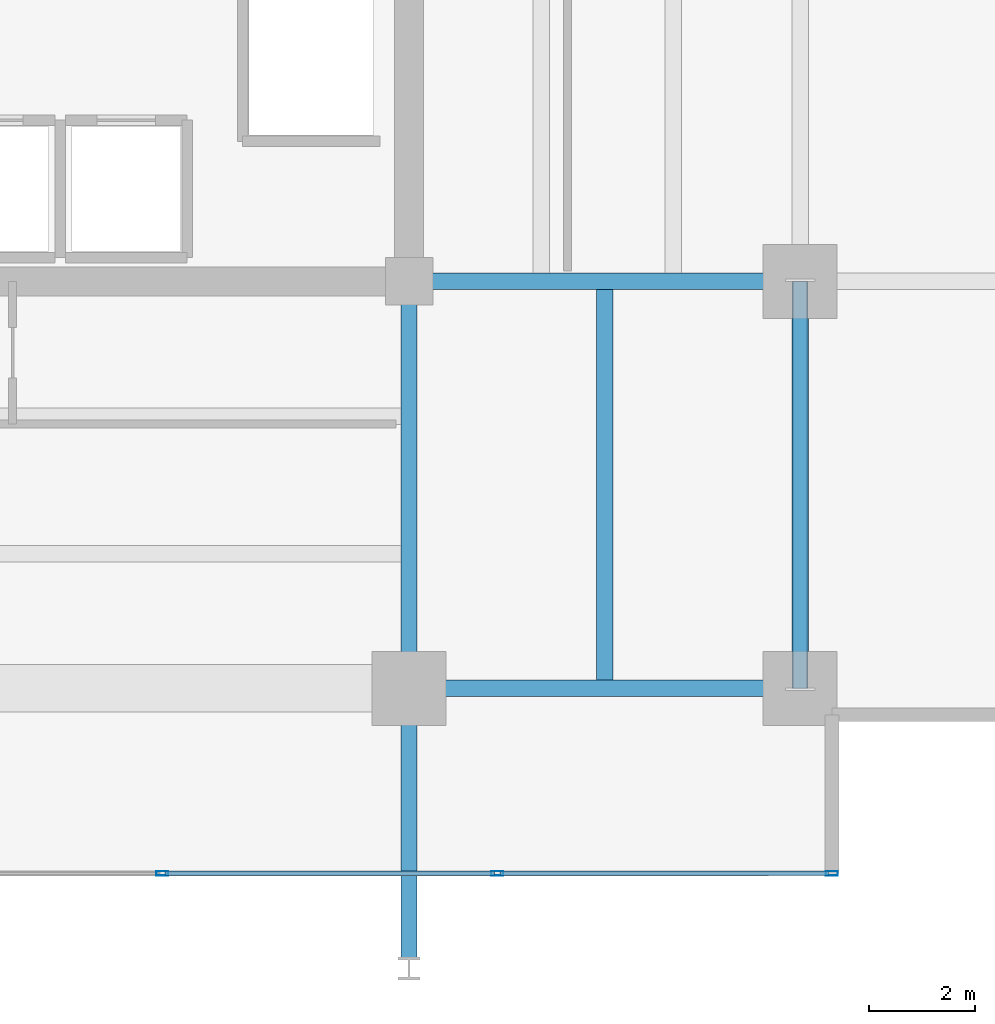
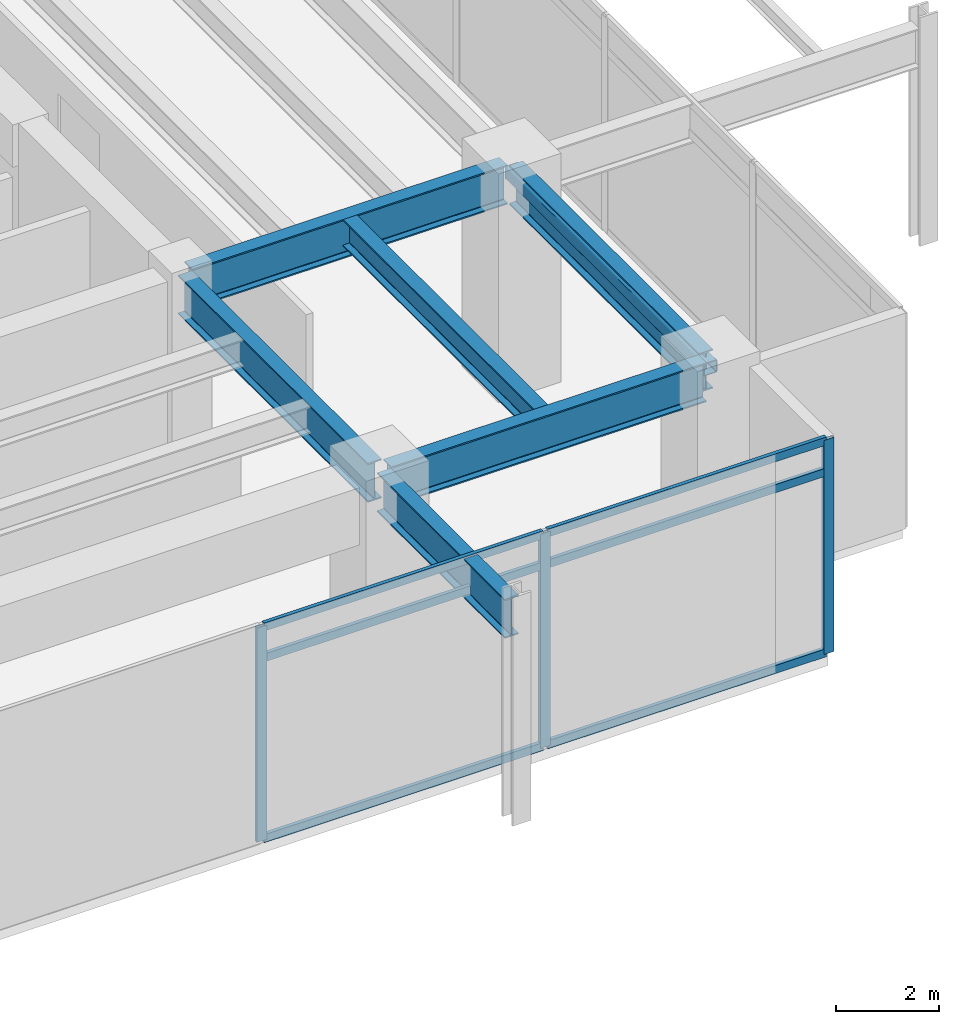
# One storey, part 9 of 24: 10 members, 6 beams, 1 element without a shape of its own.
"""IFC4 building model written with IfcOpenShell, lengths in metres."""

from ifc_helpers import new_model, si_unit, direction, frame, origin, origin_2d, place, context, subcontext, project, spatial, hollow_rectangle, i_section, extrude, material, material_profile, profile_set, type_object, element, aggregate, save


model = new_model("IFC4")

# Units and contexts
model_context = context("Model", 3, precision=1e-05, world=origin(), true_north=direction((0.0, 1.0)))
body_context = subcontext(model_context, "Body", "Model", "MODEL_VIEW")
ifc_project = project(units=[si_unit("LENGTHUNIT", "METRE"), si_unit("AREAUNIT", "SQUARE_METRE"), si_unit("VOLUMEUNIT", "CUBIC_METRE"), si_unit("PLANEANGLEUNIT", "RADIAN"), si_unit("MASSUNIT", "GRAM", prefix="KILO")], contexts=[model_context])

# Site, building, storey
site_placement = place(None, origin())
site = spatial("IfcSite", under=ifc_project, at=site_placement, CompositionType="ELEMENT")
building_placement = place(site_placement, origin())
building = spatial("IfcBuilding", under=site, at=building_placement, Name="Kovane Verandah Tower", CompositionType="ELEMENT")
storey_placement = place(building_placement, frame((0.0, 0.0, 194.800048828125)))
storey = spatial("IfcBuildingStorey", under=building, at=storey_placement, Name="L45", CompositionType="ELEMENT", Elevation=194.800048828125)

# Beams
ifc_material_1 = material(Name="Steel S460", Category="steel")
ifc_material_profile_1 = material_profile(ifc_material_1, i_section(OverallWidth=0.311279296875, OverallDepth=0.6357421875, WebThickness=0.018310546875, FlangeThickness=0.031494140625, FilletRadius=0.0166015625, at=origin_2d()), Name="UB610x305x238")
ifc_profile_set_1 = profile_set([ifc_material_profile_1], Name="Steel S460")
beam_type_1 = type_object("IfcBeamType", Name="BM-UB610x238", PredefinedType="BEAM", material=ifc_profile_set_1)
beam_1_placement = place(storey_placement, frame((54.699951171875, 10.951904296875, 4.781982421875), z_axis=(0.0, 1.0, 0.0), x_axis=(-1.0, 0.0, 0.0)))
element("IfcBeam", 1, at=beam_1_placement, inside=storey, type_object=beam_type_1, Name="L45 Secondary Composite Joist J-SE1", PredefinedType="BEAM", context=body_context, shape_type="SweptSolid", body=[
    extrude(i_section(OverallWidth=0.311279296875, OverallDepth=0.6357421875, WebThickness=0.018310546875, FlangeThickness=0.031494140625, FilletRadius=0.0166015625, at=origin_2d()), origin(), (0.0, 0.0, 1.0), 7.396240234375),
])
ifc_material_profile_2 = material_profile(ifc_material_1, i_section(OverallWidth=0.3076171875, OverallDepth=0.926513671875, WebThickness=0.01953125, FlangeThickness=0.031982421875, FilletRadius=0.01904296875, at=origin_2d()), Name="UB914x305x289")
ifc_profile_set_2 = profile_set([ifc_material_profile_2], Name="Steel S460")
beam_type_2 = type_object("IfcBeamType", Name="BM-UB914x289", PredefinedType="BEAM", material=ifc_profile_set_2)
beam_2_placement = place(storey_placement, frame((51.179931640625, 10.800048828125, 4.63671875), z_axis=(1.0, 0.0, 0.0), x_axis=(0.0, 1.0, 0.0)))
element("IfcBeam", 2, at=beam_2_placement, inside=storey, type_object=beam_type_2, Name="L45 Primary Tower Girder G-RS3", PredefinedType="BEAM", context=body_context, shape_type="SweptSolid", body=[
    extrude(i_section(OverallWidth=0.3076171875, OverallDepth=0.926513671875, WebThickness=0.01953125, FlangeThickness=0.031982421875, FilletRadius=0.01904296875, at=origin_2d()), origin(), (0.0, 0.0, 1.0), 7.0400390625),
])
beam_3_placement = place(storey_placement, frame((58.39990234375, 10.97998046875, 4.63671875), z_axis=(0.0, 1.0, 0.0), x_axis=(-1.0, 0.0, 0.0)))
element("IfcBeam", 3, at=beam_3_placement, inside=storey, type_object=beam_type_2, Name="L45 Primary Tower Girder G-RE1", PredefinedType="BEAM", context=body_context, shape_type="SweptSolid", body=[
    extrude(i_section(OverallWidth=0.3076171875, OverallDepth=0.926513671875, WebThickness=0.01953125, FlangeThickness=0.031982421875, FilletRadius=0.01904296875, at=origin_2d()), origin(), (0.0, 0.0, 1.0), 7.340087890625),
])
beam_4_placement = place(storey_placement, frame((51.179931640625, 18.5, 4.63671875), z_axis=(1.0, 0.0, 0.0), x_axis=(0.0, 1.0, 0.0)))
element("IfcBeam", 4, at=beam_4_placement, inside=storey, type_object=beam_type_2, Name="L45 Primary Tower Girder G-E1", PredefinedType="BEAM", context=body_context, shape_type="SweptSolid", body=[
    extrude(i_section(OverallWidth=0.3076171875, OverallDepth=0.926513671875, WebThickness=0.01953125, FlangeThickness=0.031982421875, FilletRadius=0.01904296875, at=origin_2d()), origin(), (0.0, 0.0, 1.0), 7.0400390625),
])
beam_5_placement = place(storey_placement, frame((51.0, 18.320068359375, 4.63671875), z_axis=(0.0, -1.0, 0.0), x_axis=(1.0, 0.0, 0.0)))
element("IfcBeam", 5, at=beam_5_placement, inside=storey, type_object=beam_type_2, Name="L45 Primary Tower Girder G-S2", PredefinedType="BEAM", context=body_context, shape_type="SweptSolid", body=[
    extrude(i_section(OverallWidth=0.3076171875, OverallDepth=0.926513671875, WebThickness=0.01953125, FlangeThickness=0.031982421875, FilletRadius=0.01904296875, at=origin_2d()), origin(), (0.0, 0.0, 1.0), 7.340087890625),
])
beam_6_placement = place(storey_placement, frame((51.0, 10.6201171875, 4.63671875), z_axis=(0.0, -1.0, 0.0), x_axis=(1.0, 0.0, 0.0)))
element("IfcBeam", 6, at=beam_6_placement, inside=storey, type_object=beam_type_2, Name="L45 Primary Tower Girder G-VS2", PredefinedType="BEAM", context=body_context, shape_type="SweptSolid", body=[
    extrude(i_section(OverallWidth=0.3076171875, OverallDepth=0.926513671875, WebThickness=0.01953125, FlangeThickness=0.031982421875, FilletRadius=0.01904296875, at=origin_2d()), origin(), (0.0, 0.0, 1.0), 4.940185546875),
])

# Curtain wall, members
ifc_material_2 = material(Name="Champagne Anodised Aluminium Frame with Low-E Clear Laminated Glass", Category="aluminium")
curtain_wall_type = type_object("IfcCurtainWallType", Name="CW-SYS-04-WAIST", PredefinedType="NOTDEFINED", material=ifc_material_2)
curtain_wall_placement = place(storey_placement, origin())
curtain_wall = element("IfcCurtainWall", 7, at=curtain_wall_placement, inside=storey, type_object=curtain_wall_type, Name="L45 S Unitised Curtain Wall", PredefinedType="NOTDEFINED")
ifc_material_3 = material(Name="Champagne Anodised Aluminium 6063-T6", Category="aluminium")
ifc_material_profile_3 = material_profile(ifc_material_3, hollow_rectangle(XDim=0.0849609375, YDim=0.22998046875, WallThickness=0.00390625, at=origin_2d()), Name="AL85x230x4")
ifc_profile_set_3 = profile_set([ifc_material_profile_3], Name="Champagne Anodised Aluminium 6063-T6")
member_type_1 = type_object("IfcMemberType", Name="CW-MUL-85x230", PredefinedType="MULLION", material=ifc_profile_set_3)
member_1_placement = place(storey_placement, frame((46.333251953125, 7.300048828125, 0.02001953125), z_axis=(0.0, 0.0, 1.0), x_axis=(0.0, -1.0, 0.0)))
member_1 = element("IfcMember", 8, at=member_1_placement, type_object=member_type_1, Name="L45 S Unitised Curtain Wall Mullion 5", PredefinedType="MULLION", context=body_context, shape_type="SweptSolid", body=[
    extrude(hollow_rectangle(XDim=0.0849609375, YDim=0.22998046875, WallThickness=0.00390625, at=origin_2d()), origin(), (0.0, 0.0, 1.0), 5.059814453125),
])
member_2_placement = place(storey_placement, frame((52.666748046875, 7.300048828125, 0.02001953125), z_axis=(0.0, 0.0, 1.0), x_axis=(0.0, -1.0, 0.0)))
member_2 = element("IfcMember", 9, at=member_2_placement, type_object=member_type_1, Name="L45 S Unitised Curtain Wall Mullion 6", PredefinedType="MULLION", context=body_context, shape_type="SweptSolid", body=[
    extrude(hollow_rectangle(XDim=0.0849609375, YDim=0.22998046875, WallThickness=0.00390625, at=origin_2d()), origin(), (0.0, 0.0, 1.0), 5.059814453125),
])
member_3_placement = place(storey_placement, frame((59.0, 7.300048828125, 0.02001953125), z_axis=(0.0, 0.0, 1.0), x_axis=(0.0, -1.0, 0.0)))
member_3 = element("IfcMember", 10, at=member_3_placement, type_object=member_type_1, Name="L45 S Unitised Curtain Wall Mullion 7", PredefinedType="MULLION", context=body_context, shape_type="SweptSolid", body=[
    extrude(hollow_rectangle(XDim=0.0849609375, YDim=0.22998046875, WallThickness=0.00390625, at=origin_2d()), origin(), (0.0, 0.0, 1.0), 5.059814453125),
])
ifc_material_profile_4 = material_profile(ifc_material_3, hollow_rectangle(XDim=0.0849609375, YDim=0.18994140625, WallThickness=0.00390625, at=origin_2d()), Name="AL85x190x4")
ifc_profile_set_4 = profile_set([ifc_material_profile_4], Name="Champagne Anodised Aluminium 6063-T6")
member_type_2 = type_object("IfcMemberType", Name="CW-TRN-85x190", PredefinedType="USERDEFINED", material=ifc_profile_set_4)
member_4_placement = place(storey_placement, frame((46.38330078125, 7.300048828125, 0.050048828125), z_axis=(1.0, 0.0, 0.0), x_axis=(0.0, 1.0, 0.0)))
member_4 = element("IfcMember", 11, at=member_4_placement, type_object=member_type_2, Name="L45 S Unitised Curtain Wall Transom TB Bay 5", ObjectType="TRANSOM", PredefinedType="USERDEFINED", context=body_context, shape_type="SweptSolid", body=[
    extrude(hollow_rectangle(XDim=0.0849609375, YDim=0.18994140625, WallThickness=0.00390625, at=origin_2d()), origin(), (0.0, 0.0, 1.0), 6.2333984375),
])
member_5_placement = place(storey_placement, frame((46.38330078125, 7.300048828125, 4.320068359375), z_axis=(1.0, 0.0, 0.0), x_axis=(0.0, 1.0, 0.0)))
member_5 = element("IfcMember", 12, at=member_5_placement, type_object=member_type_2, Name="L45 S Unitised Curtain Wall Transom TM Bay 5", ObjectType="TRANSOM", PredefinedType="USERDEFINED", context=body_context, shape_type="SweptSolid", body=[
    extrude(hollow_rectangle(XDim=0.0849609375, YDim=0.18994140625, WallThickness=0.00390625, at=origin_2d()), origin(), (0.0, 0.0, 1.0), 6.2333984375),
])
member_6_placement = place(storey_placement, frame((46.38330078125, 7.300048828125, 5.050048828125), z_axis=(1.0, 0.0, 0.0), x_axis=(0.0, 1.0, 0.0)))
member_6 = element("IfcMember", 13, at=member_6_placement, type_object=member_type_2, Name="L45 S Unitised Curtain Wall Transom TT Bay 5", ObjectType="TRANSOM", PredefinedType="USERDEFINED", context=body_context, shape_type="SweptSolid", body=[
    extrude(hollow_rectangle(XDim=0.0849609375, YDim=0.18994140625, WallThickness=0.00390625, at=origin_2d()), origin(), (0.0, 0.0, 1.0), 6.2333984375),
])
member_7_placement = place(storey_placement, frame((52.716796875, 7.300048828125, 0.050048828125), z_axis=(1.0, 0.0, 0.0), x_axis=(0.0, 1.0, 0.0)))
member_7 = element("IfcMember", 14, at=member_7_placement, type_object=member_type_2, Name="L45 S Unitised Curtain Wall Transom TB Bay 6", ObjectType="TRANSOM", PredefinedType="USERDEFINED", context=body_context, shape_type="SweptSolid", body=[
    extrude(hollow_rectangle(XDim=0.0849609375, YDim=0.18994140625, WallThickness=0.00390625, at=origin_2d()), origin(), (0.0, 0.0, 1.0), 6.233154296875),
])
member_8_placement = place(storey_placement, frame((52.716796875, 7.300048828125, 4.320068359375), z_axis=(1.0, 0.0, 0.0), x_axis=(0.0, 1.0, 0.0)))
member_8 = element("IfcMember", 15, at=member_8_placement, type_object=member_type_2, Name="L45 S Unitised Curtain Wall Transom TM Bay 6", ObjectType="TRANSOM", PredefinedType="USERDEFINED", context=body_context, shape_type="SweptSolid", body=[
    extrude(hollow_rectangle(XDim=0.0849609375, YDim=0.18994140625, WallThickness=0.00390625, at=origin_2d()), origin(), (0.0, 0.0, 1.0), 6.233154296875),
])
member_9_placement = place(storey_placement, frame((52.716796875, 7.300048828125, 5.050048828125), z_axis=(1.0, 0.0, 0.0), x_axis=(0.0, 1.0, 0.0)))
member_9 = element("IfcMember", 16, at=member_9_placement, type_object=member_type_2, Name="L45 S Unitised Curtain Wall Transom TT Bay 6", ObjectType="TRANSOM", PredefinedType="USERDEFINED", context=body_context, shape_type="SweptSolid", body=[
    extrude(hollow_rectangle(XDim=0.0849609375, YDim=0.18994140625, WallThickness=0.00390625, at=origin_2d()), origin(), (0.0, 0.0, 1.0), 6.233154296875),
])
aggregate(curtain_wall, [member_1, member_2, member_3, member_4, member_5, member_6, member_7, member_8, member_9])

# Member
ifc_material_profile_5 = material_profile(ifc_material_1, hollow_rectangle(XDim=0.300048828125, YDim=0.300048828125, WallThickness=0.01611328125, InnerFilletRadius=0.01611328125, OuterFilletRadius=0.031982421875, at=origin_2d()), Name="SHS300x300x16")
ifc_profile_set_5 = profile_set([ifc_material_profile_5], Name="Steel S460")
member_type_3 = type_object("IfcMemberType", Name="MEM-BR-SHS300", PredefinedType="BRACE", material=ifc_profile_set_5)
member_10_placement = place(storey_placement, frame((58.39990234375, 10.800048828125, 4.820068359375), z_axis=(0.0, 1.0, 0.0), x_axis=(-1.0, 0.0, 0.0)))
element("IfcMember", 17, at=member_10_placement, inside=storey, type_object=member_type_3, Name="L45 Belt-Truss Ring Chord BE1", PredefinedType="BRACE", context=body_context, shape_type="SweptSolid", body=[
    extrude(hollow_rectangle(XDim=0.300048828125, YDim=0.300048828125, WallThickness=0.01611328125, InnerFilletRadius=0.01611328125, OuterFilletRadius=0.031982421875, at=origin_2d()), origin(), (0.0, 0.0, 1.0), 7.699951171875),
])

save(model, "model.ifc")
